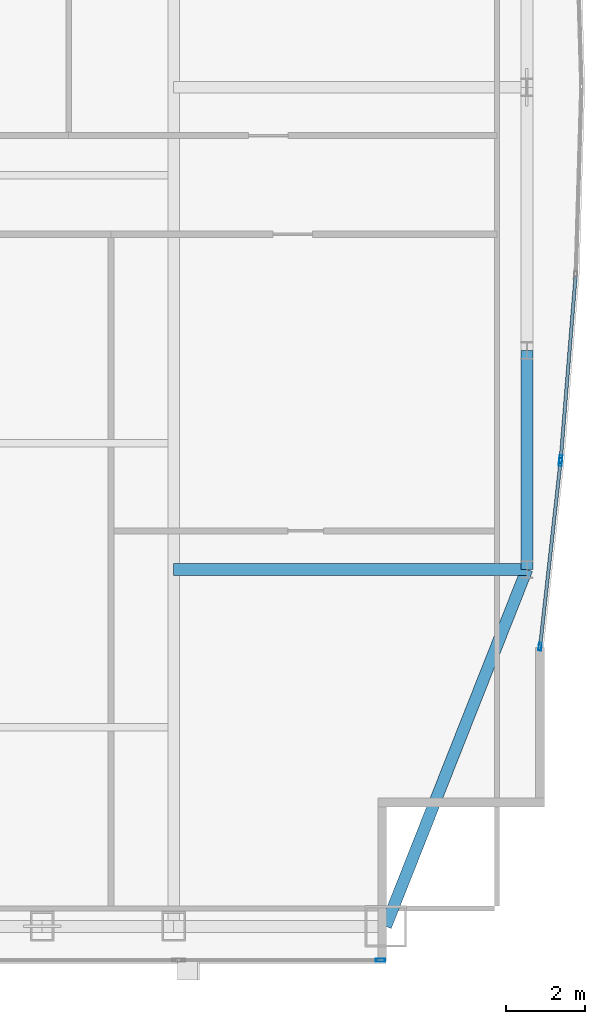
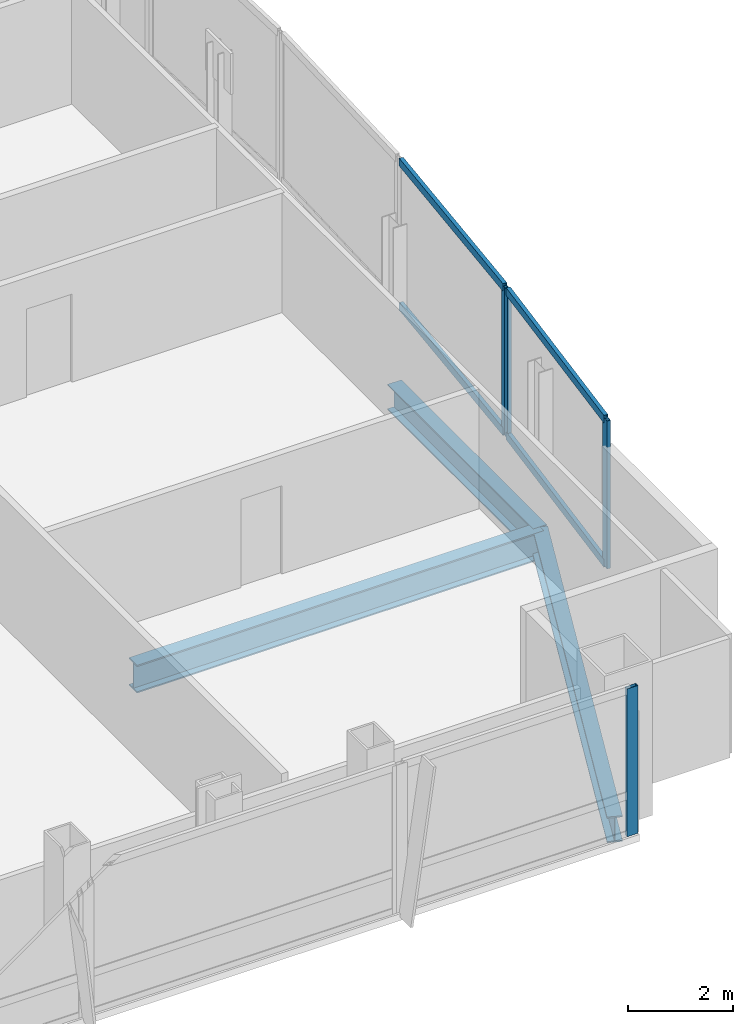
# One storey, part 16 of 29: 8 members, 3 beams, 3 elements without a shape of their own.
"""IFC4 building model written with IfcOpenShell, lengths in metres."""

from ifc_helpers import new_model, si_unit, direction, frame, origin, origin_2d, place, context, subcontext, project, spatial, hollow_rectangle, i_section, extrude, material, material_profile, profile_set, type_object, element, aggregate, save


model = new_model("IFC4")

# Units and contexts
model_context = context("Model", 3, precision=1e-05, world=origin(), true_north=direction((0.0, 1.0)))
body_context = subcontext(model_context, "Body", "Model", "MODEL_VIEW")
ifc_project = project(units=[si_unit("LENGTHUNIT", "METRE"), si_unit("AREAUNIT", "SQUARE_METRE"), si_unit("VOLUMEUNIT", "CUBIC_METRE"), si_unit("PLANEANGLEUNIT", "RADIAN"), si_unit("MASSUNIT", "GRAM", prefix="KILO")], contexts=[model_context])

# Site, building, storey
site_placement = place(None, origin())
site = spatial("IfcSite", under=ifc_project, at=site_placement, CompositionType="ELEMENT")
building_placement = place(site_placement, origin())
building = spatial("IfcBuilding", under=site, at=building_placement, Name="Khoronbel Lancet Exchange", CompositionType="ELEMENT")
storey_placement = place(building_placement, frame((0.0, 0.0, 246.199951171875)))
storey = spatial("IfcBuildingStorey", under=building, at=storey_placement, Name="L63", CompositionType="ELEMENT", Elevation=246.199951171875)

# Beams
ifc_material_1 = material(Name="Steel S355", Category="steel")
ifc_material_profile_1 = material_profile(ifc_material_1, i_section(OverallWidth=0.300048828125, OverallDepth=0.64990234375, WebThickness=0.01611328125, FlangeThickness=0.031005859375, at=origin_2d()), Name="HEB 650")
ifc_profile_set_1 = profile_set([ifc_material_profile_1], Name="Steel S355")
beam_type_1 = type_object("IfcBeamType", Name="BM-BG4", PredefinedType="BEAM", material=ifc_profile_set_1)
beam_1_placement = place(storey_placement, frame((54.675048828125, 19.199951171875, -0.48486328125), z_axis=(1.0, 0.0, 0.0), x_axis=(0.0, 1.0, 0.0)))
element("IfcBeam", 1, at=beam_1_placement, inside=storey, type_object=beam_type_1, Name="Level L63 east lens tie girder LG1E", PredefinedType="BEAM", context=body_context, shape_type="SweptSolid", body=[
    extrude(i_section(OverallWidth=0.300048828125, OverallDepth=0.64990234375, WebThickness=0.01611328125, FlangeThickness=0.031005859375, at=origin_2d()), origin(), (0.0, 0.0, 1.0), 8.954833984375),
])
ifc_material_profile_2 = material_profile(ifc_material_1, i_section(OverallWidth=0.300048828125, OverallDepth=0.60009765625, WebThickness=0.015380859375, FlangeThickness=0.030029296875, at=origin_2d()), Name="HEB 600")
ifc_profile_set_2 = profile_set([ifc_material_profile_2], Name="Steel S355")
beam_type_2 = type_object("IfcBeamType", Name="BM-BSP2", PredefinedType="SPANDREL", material=ifc_profile_set_2)
beam_2_placement = place(storey_placement, frame((60.050048828125, 10.14990234375, -0.4599609375), z_axis=(0.367828403855, 0.929893684954, 0.0), x_axis=(-0.929893684954, 0.367828403855, 0.0)))
element("IfcBeam", 2, at=beam_2_placement, inside=storey, type_object=beam_type_2, Name="Level L63 perimeter spandrel beam SP10", PredefinedType="SPANDREL", context=body_context, shape_type="SweptSolid", body=[
    extrude(i_section(OverallWidth=0.300048828125, OverallDepth=0.60009765625, WebThickness=0.015380859375, FlangeThickness=0.030029296875, at=origin_2d()), origin(), (0.0, 0.0, 1.0), 9.732421875),
])
beam_3_placement = place(storey_placement, frame((63.6298828125, 19.199951171875, -0.4599609375), z_axis=(0.0, 1.0, 0.0), x_axis=(-1.0, 0.0, 0.0)))
element("IfcBeam", 3, at=beam_3_placement, inside=storey, type_object=beam_type_2, Name="Level L63 perimeter spandrel beam SP11", PredefinedType="SPANDREL", context=body_context, shape_type="SweptSolid", body=[
    extrude(i_section(OverallWidth=0.300048828125, OverallDepth=0.60009765625, WebThickness=0.015380859375, FlangeThickness=0.030029296875, at=origin_2d()), origin(), (0.0, 0.0, 1.0), 5.550048828125),
])

# Curtain wall, member
ifc_material_2 = material(Name="Low-E Solar Control Insulating Glass", Category="glass")
curtain_wall_type_1 = type_object("IfcCurtainWallType", Name="CW-3", PredefinedType="NOTDEFINED", material=ifc_material_2)
curtain_wall_1_placement = place(storey_placement, origin())
curtain_wall_1 = element("IfcCurtainWall", 4, at=curtain_wall_1_placement, inside=storey, type_object=curtain_wall_type_1, Name="Unitised curtain wall CW-L63-SEV", PredefinedType="NOTDEFINED")
ifc_material_3 = material(Name="Bronze-Anodised Aluminium 6063-T6", Category="aluminium")
ifc_material_profile_3 = material_profile(ifc_material_3, hollow_rectangle(XDim=0.0849609375, YDim=0.239990234375, WallThickness=0.006103515625, at=origin_2d()), Name="ALU MULLION 85x240")
ifc_profile_set_3 = profile_set([ifc_material_profile_3], Name="Bronze-Anodised Aluminium 6063-T6")
member_type_1 = type_object("IfcMemberType", Name="MEM-CWM1", PredefinedType="MULLION", material=ifc_profile_set_3)
member_1_placement = place(storey_placement, frame((59.91748046875, 9.2900390625, 0.0), z_axis=(0.0, 0.0, 1.0), x_axis=(0.0, 1.0, 0.0)))
member_1 = element("IfcMember", 5, at=member_1_placement, type_object=member_type_1, Name="CW3 mullion 2", PredefinedType="MULLION", context=body_context, shape_type="SweptSolid", body=[
    extrude(hollow_rectangle(XDim=0.0849609375, YDim=0.239990234375, WallThickness=0.006103515625, at=origin_2d()), origin(), (0.0, 0.0, 1.0), 3.43994140625),
])
aggregate(curtain_wall_1, [member_1])

curtain_wall_type_2 = type_object("IfcCurtainWallType", Name="CW-4", PredefinedType="NOTDEFINED", material=ifc_material_2)
curtain_wall_2_placement = place(storey_placement, origin())
curtain_wall_2 = element("IfcCurtainWall", 6, at=curtain_wall_2_placement, inside=storey, type_object=curtain_wall_type_2, Name="Unitised curtain wall CW-L63-E21", PredefinedType="NOTDEFINED")
ifc_material_profile_4 = material_profile(ifc_material_3, hollow_rectangle(XDim=0.074951171875, YDim=0.199951171875, WallThickness=0.0048828125, at=origin_2d()), Name="ALU MULLION 75x200")
ifc_profile_set_4 = profile_set([ifc_material_profile_4], Name="Bronze-Anodised Aluminium 6063-T6")
member_type_2 = type_object("IfcMemberType", Name="MEM-CWM2", PredefinedType="MULLION", material=ifc_profile_set_4)
member_2_placement = place(storey_placement, frame((64.488525390625, 21.99609375, 0.0), z_axis=(0.0, 0.0, 1.0), x_axis=(0.996743296731, -0.080639943095, 0.0)))
member_2 = element("IfcMember", 7, at=member_2_placement, type_object=member_type_2, Name="CW4 mullion 2", PredefinedType="MULLION", context=body_context, shape_type="SweptSolid", body=[
    extrude(hollow_rectangle(XDim=0.074951171875, YDim=0.199951171875, WallThickness=0.0048828125, at=origin_2d()), origin(), (0.0, 0.0, 1.0), 3.43994140625),
])

# Curtain wall, members
curtain_wall_3_placement = place(storey_placement, origin())
curtain_wall_3 = element("IfcCurtainWall", 8, at=curtain_wall_3_placement, inside=storey, type_object=curtain_wall_type_2, Name="Unitised curtain wall CW-L63-E22", PredefinedType="NOTDEFINED")
member_3_placement = place(storey_placement, frame((64.481201171875, 21.92138671875, 0.0), z_axis=(0.0, 0.0, 1.0), x_axis=(0.993947317123, -0.109857775256, 0.0)))
member_3 = element("IfcMember", 9, at=member_3_placement, type_object=member_type_2, Name="CW4 mullion 1", PredefinedType="MULLION", context=body_context, shape_type="SweptSolid", body=[
    extrude(hollow_rectangle(XDim=0.074951171875, YDim=0.199951171875, WallThickness=0.0048828125, at=origin_2d()), origin(), (0.0, 0.0, 1.0), 3.43994140625),
])
member_4_placement = place(storey_placement, frame((63.964111328125, 17.2421875, 0.0), z_axis=(0.0, 0.0, 1.0), x_axis=(0.993947317123, -0.109857775256, 0.0)))
member_4 = element("IfcMember", 10, at=member_4_placement, type_object=member_type_2, Name="CW4 mullion 2", PredefinedType="MULLION", context=body_context, shape_type="SweptSolid", body=[
    extrude(hollow_rectangle(XDim=0.074951171875, YDim=0.199951171875, WallThickness=0.0048828125, at=origin_2d()), origin(), (0.0, 0.0, 1.0), 3.43994140625),
])

# Member
ifc_material_profile_5 = material_profile(ifc_material_3, hollow_rectangle(XDim=0.0849609375, YDim=0.179931640625, WallThickness=0.0048828125, at=origin_2d()), Name="ALU TRANSOM 85x180")
ifc_profile_set_5 = profile_set([ifc_material_profile_5], Name="Bronze-Anodised Aluminium 6063-T6")
member_type_3 = type_object("IfcMemberType", Name="MEM-CWT1", PredefinedType="USERDEFINED", material=ifc_profile_set_5)
member_5_placement = place(storey_placement, frame((64.86328125, 26.630126953125, 0.04248046875), z_axis=(-0.080626814238, -0.996744358813, 0.0), x_axis=(0.996744358813, -0.080626814238, 0.0)))
member_5 = element("IfcMember", 11, at=member_5_placement, type_object=member_type_3, Name="CW4 transom 1.1", ObjectType="TRANSOM", PredefinedType="USERDEFINED", context=body_context, shape_type="SweptSolid", body=[
    extrude(hollow_rectangle(XDim=0.0849609375, YDim=0.179931640625, WallThickness=0.0048828125, at=origin_2d()), origin(), (0.0, 0.0, 1.0), 4.611572265625),
])

member_6_placement = place(storey_placement, frame((64.86328125, 26.630126953125, 3.3974609375), z_axis=(-0.080626814238, -0.996744358813, 0.0), x_axis=(0.996744358813, -0.080626814238, 0.0)))
member_6 = element("IfcMember", 12, at=member_6_placement, type_object=member_type_3, Name="CW4 transom 1.2", ObjectType="TRANSOM", PredefinedType="USERDEFINED", context=body_context, shape_type="SweptSolid", body=[
    extrude(hollow_rectangle(XDim=0.0849609375, YDim=0.179931640625, WallThickness=0.0048828125, at=origin_2d()), origin(), (0.0, 0.0, 1.0), 4.611572265625),
])

aggregate(curtain_wall_2, [member_2, member_5, member_6])

member_7_placement = place(storey_placement, frame((64.47705078125, 21.884033203125, 0.04248046875), z_axis=(-0.109829937442, -0.993950393552, 0.0), x_axis=(0.993950393552, -0.109829937442, 0.0)))
member_7 = element("IfcMember", 13, at=member_7_placement, type_object=member_type_3, Name="CW4 transom 1.1", ObjectType="TRANSOM", PredefinedType="USERDEFINED", context=body_context, shape_type="SweptSolid", body=[
    extrude(hollow_rectangle(XDim=0.0849609375, YDim=0.179931640625, WallThickness=0.0048828125, at=origin_2d()), origin(), (0.0, 0.0, 1.0), 4.632568359375),
])

member_8_placement = place(storey_placement, frame((64.47705078125, 21.884033203125, 3.3974609375), z_axis=(-0.109829937442, -0.993950393552, 0.0), x_axis=(0.993950393552, -0.109829937442, 0.0)))
member_8 = element("IfcMember", 14, at=member_8_placement, type_object=member_type_3, Name="CW4 transom 1.2", ObjectType="TRANSOM", PredefinedType="USERDEFINED", context=body_context, shape_type="SweptSolid", body=[
    extrude(hollow_rectangle(XDim=0.0849609375, YDim=0.179931640625, WallThickness=0.0048828125, at=origin_2d()), origin(), (0.0, 0.0, 1.0), 4.632568359375),
])

aggregate(curtain_wall_3, [member_3, member_4, member_7, member_8])

save(model, "model.ifc")
